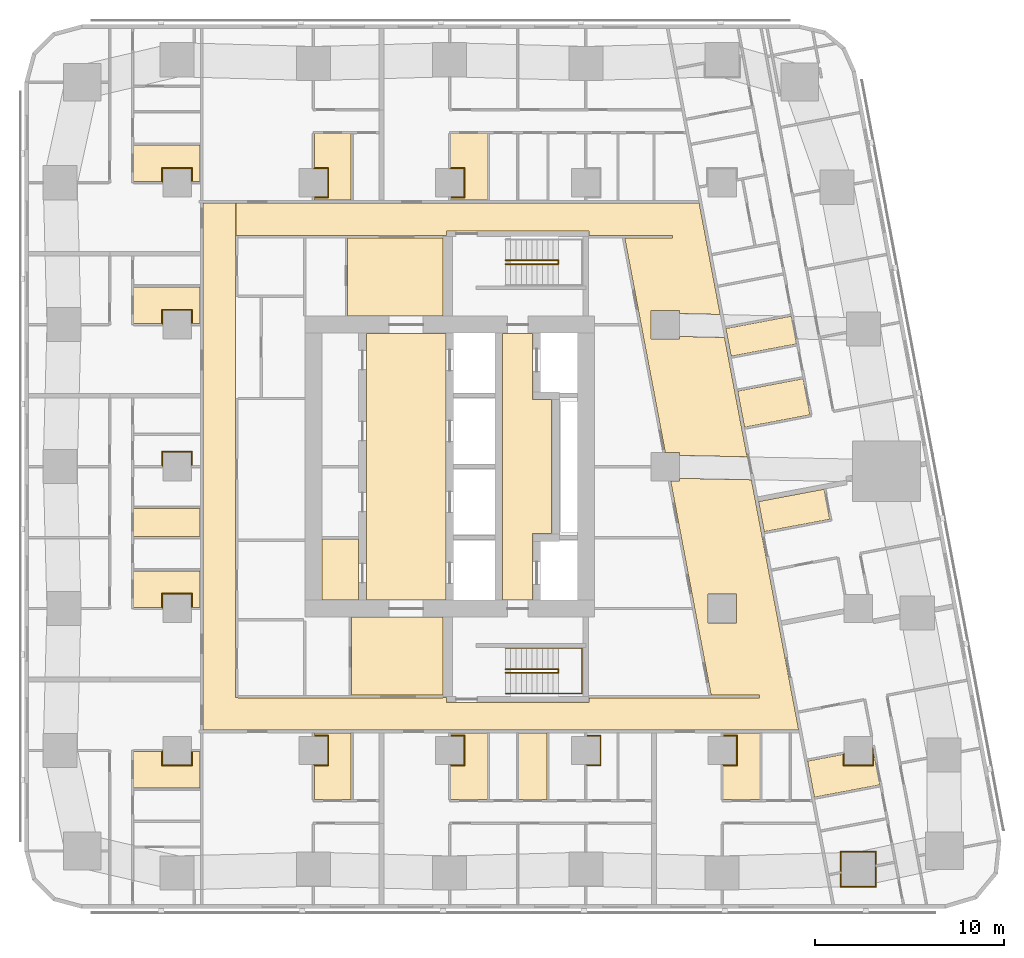
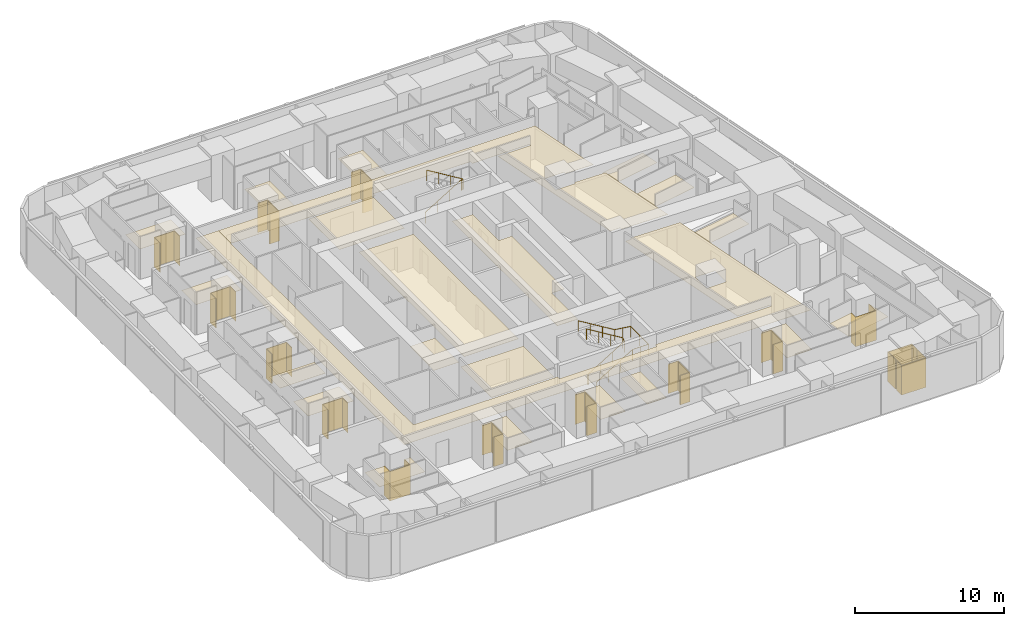
# One storey, part 14 of 15: 36 coverings, 3 railings.
"""IFC4 building model written with IfcOpenShell, lengths in metres."""

from ifc_helpers import new_model, si_unit, direction, frame, origin, origin_2d, place, context, subcontext, project, spatial, polyline, circle, outline, extrude, material, layer, layer_set, type_object, element, save


model = new_model("IFC4")

# Units and contexts
model_context = context("Model", 3, precision=1e-05, world=origin(), true_north=direction((0.0, 1.0)))
body_context = subcontext(model_context, "Body", "Model", "MODEL_VIEW")
ifc_project = project(units=[si_unit("LENGTHUNIT", "METRE"), si_unit("AREAUNIT", "SQUARE_METRE"), si_unit("VOLUMEUNIT", "CUBIC_METRE"), si_unit("PLANEANGLEUNIT", "RADIAN"), si_unit("MASSUNIT", "GRAM", prefix="KILO")], contexts=[model_context])

# Site, building, storey
site_placement = place(None, origin())
site = spatial("IfcSite", under=ifc_project, at=site_placement, CompositionType="ELEMENT")
building_placement = place(site_placement, origin())
building = spatial("IfcBuilding", under=site, at=building_placement, Name="Sheger Commons Tower", CompositionType="ELEMENT")
storey_placement = place(building_placement, frame((0.0, 0.0, 139.550048828125)))
storey = spatial("IfcBuildingStorey", under=building, at=storey_placement, Name="L35", CompositionType="ELEMENT", Elevation=139.550048828125)

# Railings
ifc_material_1 = material(Name="Steel handrail, black powder-coated", Category="steel")
railing_type = type_object("IfcRailingType", Name="HANDRAIL 900", PredefinedType="HANDRAIL", material=ifc_material_1)
railing_1_placement = place(storey_placement, frame((24.550048828125, 11.60009765625, 0.17041015625)))
element("IfcRailing", 1, at=railing_1_placement, inside=storey, type_object=railing_type, Name="Stair S1 handrail L35", PredefinedType="HANDRAIL", context=body_context, shape_type="SweptSolid", body=[
    extrude(circle(Radius=0.02392578125, at=origin_2d()), frame((0.0, 0.0, 0.8759765625), z_axis=(0.854169791009, 0.0, 0.51999420009), x_axis=(0.0, 1.0, 0.0)), (0.0, 0.0, 1.0), 3.278076171875),
    extrude(circle(Radius=0.02392578125, at=origin_2d()), frame((2.800048828125, 0.0, 2.58056640625), z_axis=(0.0, 0.761090297175, 0.648645943136), x_axis=(-1.0, 0.0, 0.0)), (0.0, 0.0, 1.0), 0.2626953125),
    extrude(circle(Radius=0.02392578125, at=origin_2d()), frame((2.800048828125, 0.199951171875, 2.7509765625), z_axis=(-0.854169791009, 0.0, 0.51999420009), x_axis=(0.0, -1.0, 0.0)), (0.0, 0.0, 1.0), 3.278076171875),
    extrude(circle(Radius=0.02099609375, at=origin_2d()), origin(), (0.0, 0.0, 1.0), 0.851806640625),
    extrude(circle(Radius=0.02099609375, at=origin_2d()), frame((0.933349609375, 0.0, 0.568115234375)), (0.0, 0.0, 1.0), 0.851806640625),
    extrude(circle(Radius=0.02099609375, at=origin_2d()), frame((1.86669921875, 0.0, 1.136474609375)), (0.0, 0.0, 1.0), 0.851806640625),
    extrude(circle(Radius=0.02099609375, at=origin_2d()), frame((2.800048828125, 0.0, 1.70458984375)), (0.0, 0.0, 1.0), 0.851806640625),
    extrude(circle(Radius=0.02099609375, at=origin_2d()), frame((2.800048828125, 0.199951171875, 1.875)), (0.0, 0.0, 1.0), 0.851806640625),
    extrude(circle(Radius=0.02099609375, at=origin_2d()), frame((1.86669921875, 0.199951171875, 2.443115234375)), (0.0, 0.0, 1.0), 0.851806640625),
    extrude(circle(Radius=0.02099609375, at=origin_2d()), frame((0.933349609375, 0.199951171875, 3.011474609375)), (0.0, 0.0, 1.0), 0.851806640625),
    extrude(circle(Radius=0.02099609375, at=origin_2d()), frame((0.0, 0.199951171875, 3.57958984375)), (0.0, 0.0, 1.0), 0.851806640625),
])
railing_2_placement = place(storey_placement, frame((24.550048828125, 10.5, 0.17041015625)))
element("IfcRailing", 2, at=railing_2_placement, inside=storey, type_object=railing_type, Name="Stair S1 handrail L35", PredefinedType="HANDRAIL", context=body_context, shape_type="SweptSolid", body=[
    extrude(circle(Radius=0.02392578125, at=origin_2d()), frame((0.0, 0.0, 0.8759765625), z_axis=(0.854169791009, 0.0, 0.51999420009), x_axis=(0.0, 1.0, 0.0)), (0.0, 0.0, 1.0), 3.278076171875),
    extrude(circle(Radius=0.02392578125, at=origin_2d()), frame((2.800048828125, 0.0, 2.58056640625), z_axis=(1.0, 0.0, 0.0), x_axis=(0.0, 1.0, 0.0)), (0.0, 0.0, 1.0), 1.25),
    extrude(circle(Radius=0.02392578125, at=origin_2d()), frame((4.050048828125, 0.0, 2.58056640625), z_axis=(0.0, 1.0, 0.0), x_axis=(-1.0, 0.0, 0.0)), (0.0, 0.0, 1.0), 2.39990234375),
    extrude(circle(Radius=0.02392578125, at=origin_2d()), frame((4.050048828125, 2.39990234375, 2.58056640625), z_axis=(-0.990834877927, 0.0, 0.135078661092), x_axis=(0.0, -1.0, 0.0)), (0.0, 0.0, 1.0), 1.261474609375),
    extrude(circle(Radius=0.02392578125, at=origin_2d()), frame((2.800048828125, 2.39990234375, 2.7509765625), z_axis=(-0.854169791009, 0.0, 0.51999420009), x_axis=(0.0, -1.0, 0.0)), (0.0, 0.0, 1.0), 3.278076171875),
    extrude(circle(Radius=0.02099609375, at=origin_2d()), origin(), (0.0, 0.0, 1.0), 0.851806640625),
    extrude(circle(Radius=0.02099609375, at=origin_2d()), frame((0.933349609375, 0.0, 0.568115234375)), (0.0, 0.0, 1.0), 0.851806640625),
    extrude(circle(Radius=0.02099609375, at=origin_2d()), frame((1.86669921875, 0.0, 1.136474609375)), (0.0, 0.0, 1.0), 0.851806640625),
    extrude(circle(Radius=0.02099609375, at=origin_2d()), frame((2.800048828125, 0.0, 1.70458984375)), (0.0, 0.0, 1.0), 0.851806640625),
    extrude(circle(Radius=0.02099609375, at=origin_2d()), frame((3.425048828125, 0.0, 1.70458984375)), (0.0, 0.0, 1.0), 0.851806640625),
    extrude(circle(Radius=0.02099609375, at=origin_2d()), frame((4.050048828125, 0.0, 1.70458984375)), (0.0, 0.0, 1.0), 0.851806640625),
    extrude(circle(Radius=0.02099609375, at=origin_2d()), frame((4.050048828125, 1.199951171875, 1.70458984375)), (0.0, 0.0, 1.0), 0.851806640625),
    extrude(circle(Radius=0.02099609375, at=origin_2d()), frame((4.050048828125, 2.39990234375, 1.70458984375)), (0.0, 0.0, 1.0), 0.851806640625),
    extrude(circle(Radius=0.02099609375, at=origin_2d()), frame((3.425048828125, 2.39990234375, 1.789794921875)), (0.0, 0.0, 1.0), 0.851806640625),
    extrude(circle(Radius=0.02099609375, at=origin_2d()), frame((2.800048828125, 2.39990234375, 1.875)), (0.0, 0.0, 1.0), 0.851806640625),
    extrude(circle(Radius=0.02099609375, at=origin_2d()), frame((1.86669921875, 2.39990234375, 2.443115234375)), (0.0, 0.0, 1.0), 0.851806640625),
    extrude(circle(Radius=0.02099609375, at=origin_2d()), frame((0.933349609375, 2.39990234375, 3.011474609375)), (0.0, 0.0, 1.0), 0.851806640625),
    extrude(circle(Radius=0.02099609375, at=origin_2d()), frame((0.0, 2.39990234375, 3.57958984375)), (0.0, 0.0, 1.0), 0.851806640625),
])
railing_3_placement = place(storey_placement, frame((24.550048828125, 33.39990234375, 0.17041015625)))
element("IfcRailing", 3, at=railing_3_placement, inside=storey, type_object=railing_type, Name="Stair S2 handrail L35", PredefinedType="HANDRAIL", context=body_context, shape_type="SweptSolid", body=[
    extrude(circle(Radius=0.02392578125, at=origin_2d()), frame((0.0, 0.0, 0.8759765625), z_axis=(0.854169791009, 0.0, 0.51999420009), x_axis=(0.0, 1.0, 0.0)), (0.0, 0.0, 1.0), 3.278076171875),
    extrude(circle(Radius=0.02392578125, at=origin_2d()), frame((2.800048828125, 0.0, 2.58056640625), z_axis=(0.0, -0.761090297175, 0.648645943136), x_axis=(1.0, 0.0, 0.0)), (0.0, 0.0, 1.0), 0.2626953125),
    extrude(circle(Radius=0.02392578125, at=origin_2d()), frame((2.800048828125, -0.199951171875, 2.7509765625), z_axis=(-0.854169791009, 0.0, 0.51999420009), x_axis=(0.0, -1.0, 0.0)), (0.0, 0.0, 1.0), 3.278076171875),
    extrude(circle(Radius=0.02099609375, at=origin_2d()), origin(), (0.0, 0.0, 1.0), 0.851806640625),
    extrude(circle(Radius=0.02099609375, at=origin_2d()), frame((0.933349609375, 0.0, 0.568115234375)), (0.0, 0.0, 1.0), 0.851806640625),
    extrude(circle(Radius=0.02099609375, at=origin_2d()), frame((1.86669921875, 0.0, 1.136474609375)), (0.0, 0.0, 1.0), 0.851806640625),
    extrude(circle(Radius=0.02099609375, at=origin_2d()), frame((2.800048828125, 0.0, 1.70458984375)), (0.0, 0.0, 1.0), 0.851806640625),
    extrude(circle(Radius=0.02099609375, at=origin_2d()), frame((2.800048828125, -0.199951171875, 1.875)), (0.0, 0.0, 1.0), 0.851806640625),
    extrude(circle(Radius=0.02099609375, at=origin_2d()), frame((1.86669921875, -0.199951171875, 2.443115234375)), (0.0, 0.0, 1.0), 0.851806640625),
    extrude(circle(Radius=0.02099609375, at=origin_2d()), frame((0.933349609375, -0.199951171875, 3.011474609375)), (0.0, 0.0, 1.0), 0.851806640625),
    extrude(circle(Radius=0.02099609375, at=origin_2d()), frame((0.0, -0.199951171875, 3.57958984375)), (0.0, 0.0, 1.0), 0.851806640625),
])

# Coverings
ifc_material_2 = material(Name="Moisture-resistant gypsum plasterboard 15 mm on a suspended galvanised steel grid", Category="steel")
ifc_layer_1 = layer(ifc_material_2, 0.014892578125)
ifc_layer_set_1 = layer_set([ifc_layer_1], Name="MOISTURE-RESISTANT CEILING 15")
covering_type_1 = type_object("IfcCoveringType", Name="MOISTURE-RESISTANT CEILING 15", PredefinedType="CEILING", material=ifc_layer_set_1)
covering_1_placement = place(storey_placement, frame((0.0, 0.0, 2.39990234375)))
element("IfcCovering", 4, at=covering_1_placement, inside=storey, type_object=covering_type_1, Name="L35-01.B1 ceiling", PredefinedType="CEILING", context=body_context, shape_type="SweptSolid", body=[
    extrude(outline(polyline([(4.905029296875, 5.5048828125), (8.419921875, 5.5048828125), (8.419921875, 7.445068359375), (7.955078125, 7.445068359375), (7.955078125, 6.7451171875), (6.445068359375, 6.7451171875), (6.445068359375, 7.445068359375), (4.905029296875, 7.445068359375), (4.905029296875, 5.5048828125)])), origin(), (0.0, 0.0, 1.0), 0.01513671875),
])
covering_2_placement = place(storey_placement, frame((0.0, 0.0, 2.39990234375)))
element("IfcCovering", 5, at=covering_2_placement, inside=storey, type_object=covering_type_1, Name="L35-02.B1 ceiling", PredefinedType="CEILING", context=body_context, shape_type="SweptSolid", body=[
    extrude(outline(polyline([(4.905029296875, 15.054931640625), (6.445068359375, 15.054931640625), (6.445068359375, 15.7548828125), (7.955078125, 15.7548828125), (7.955078125, 15.054931640625), (8.419921875, 15.054931640625), (8.419921875, 16.9951171875), (4.905029296875, 16.9951171875), (4.905029296875, 15.054931640625)])), origin(), (0.0, 0.0, 1.0), 0.01513671875),
])
covering_3_placement = place(storey_placement, frame((0.0, 0.0, 2.39990234375)))
element("IfcCovering", 6, at=covering_3_placement, inside=storey, type_object=covering_type_1, Name="L35-02.B2 ceiling", PredefinedType="CEILING", context=body_context, shape_type="SweptSolid", body=[
    extrude(outline(polyline([(4.905029296875, 18.804931640625), (8.419921875, 18.804931640625), (8.419921875, 20.294921875), (4.905029296875, 20.294921875), (4.905029296875, 18.804931640625)])), origin(), (0.0, 0.0, 1.0), 0.01513671875),
])
covering_4_placement = place(storey_placement, frame((0.0, 0.0, 2.39990234375)))
element("IfcCovering", 7, at=covering_4_placement, inside=storey, type_object=covering_type_1, Name="L35-03.B1 ceiling", PredefinedType="CEILING", context=body_context, shape_type="SweptSolid", body=[
    extrude(outline(polyline([(4.905029296875, 30.054931640625), (6.445068359375, 30.054931640625), (6.445068359375, 30.7548828125), (7.955078125, 30.7548828125), (7.955078125, 30.054931640625), (8.419921875, 30.054931640625), (8.419921875, 31.9951171875), (4.905029296875, 31.9951171875), (4.905029296875, 30.054931640625)])), origin(), (0.0, 0.0, 1.0), 0.01513671875),
])
covering_5_placement = place(storey_placement, frame((0.0, 0.0, 2.39990234375)))
element("IfcCovering", 8, at=covering_5_placement, inside=storey, type_object=covering_type_1, Name="L35-04.B1 ceiling", PredefinedType="CEILING", context=body_context, shape_type="SweptSolid", body=[
    extrude(outline(polyline([(4.905029296875, 37.554931640625), (6.445068359375, 37.554931640625), (6.445068359375, 38.2548828125), (7.955078125, 38.2548828125), (7.955078125, 37.554931640625), (8.419921875, 37.554931640625), (8.419921875, 39.4951171875), (4.905029296875, 39.4951171875), (4.905029296875, 37.554931640625)])), origin(), (0.0, 0.0, 1.0), 0.01513671875),
])
covering_6_placement = place(storey_placement, frame((0.0, 0.0, 2.39990234375)))
element("IfcCovering", 9, at=covering_6_placement, inside=storey, type_object=covering_type_1, Name="L35-05.B1 ceiling", PredefinedType="CEILING", context=body_context, shape_type="SweptSolid", body=[
    extrude(outline(polyline([(14.455078125, 4.905029296875), (16.39501953125, 4.905029296875), (16.39501953125, 8.419921875), (14.455078125, 8.419921875), (14.455078125, 8.2548828125), (15.155029296875, 8.2548828125), (15.155029296875, 6.7451171875), (14.455078125, 6.7451171875), (14.455078125, 4.905029296875)])), origin(), (0.0, 0.0, 1.0), 0.01513671875),
])
covering_7_placement = place(storey_placement, frame((0.0, 0.0, 2.39990234375)))
element("IfcCovering", 10, at=covering_7_placement, inside=storey, type_object=covering_type_1, Name="L35-06.B1 ceiling", PredefinedType="CEILING", context=body_context, shape_type="SweptSolid", body=[
    extrude(outline(polyline([(21.655029296875, 4.905029296875), (23.594970703125, 4.905029296875), (23.594970703125, 8.419921875), (21.655029296875, 8.419921875), (21.655029296875, 8.2548828125), (22.35498046875, 8.2548828125), (22.35498046875, 6.7451171875), (21.655029296875, 6.7451171875), (21.655029296875, 4.905029296875)])), origin(), (0.0, 0.0, 1.0), 0.01513671875),
])
covering_8_placement = place(storey_placement, frame((0.0, 0.0, 2.39990234375)))
element("IfcCovering", 11, at=covering_8_placement, inside=storey, type_object=covering_type_1, Name="L35-06.B2 ceiling", PredefinedType="CEILING", context=body_context, shape_type="SweptSolid", body=[
    extrude(outline(polyline([(25.2548828125, 4.905029296875), (26.7451171875, 4.905029296875), (26.7451171875, 8.419921875), (25.2548828125, 8.419921875), (25.2548828125, 4.905029296875)])), origin(), (0.0, 0.0, 1.0), 0.01513671875),
])
covering_9_placement = place(storey_placement, frame((0.0, 0.0, 2.39990234375)))
element("IfcCovering", 12, at=covering_9_placement, inside=storey, type_object=covering_type_1, Name="L35-07.B1 ceiling", PredefinedType="CEILING", context=body_context, shape_type="SweptSolid", body=[
    extrude(outline(polyline([(36.054931640625, 4.905029296875), (37.9951171875, 4.905029296875), (37.9951171875, 8.419921875), (36.054931640625, 8.419921875), (36.054931640625, 8.2548828125), (36.7548828125, 8.2548828125), (36.7548828125, 6.7451171875), (36.054931640625, 6.7451171875), (36.054931640625, 4.905029296875)])), origin(), (0.0, 0.0, 1.0), 0.01513671875),
])
covering_10_placement = place(storey_placement, frame((0.0, 0.0, 2.39990234375)))
element("IfcCovering", 13, at=covering_10_placement, inside=storey, type_object=covering_type_1, Name="L35-08.B1 ceiling", PredefinedType="CEILING", context=body_context, shape_type="SweptSolid", body=[
    extrude(outline(polyline([(37.18701171875, 24.5830078125), (40.64111328125, 25.236083984375), (40.281005859375, 27.14208984375), (36.826904296875, 26.489990234375), (37.18701171875, 24.5830078125)])), origin(), (0.0, 0.0, 1.0), 0.01513671875),
])
covering_11_placement = place(storey_placement, frame((0.0, 0.0, 2.39990234375)))
element("IfcCovering", 14, at=covering_11_placement, inside=storey, type_object=covering_type_1, Name="L35-08.B2 ceiling", PredefinedType="CEILING", context=body_context, shape_type="SweptSolid", body=[
    extrude(outline(polyline([(36.47900390625, 28.3330078125), (39.93310546875, 28.985107421875), (39.656982421875, 30.448974609375), (36.201904296875, 29.797119140625), (36.47900390625, 28.3330078125)])), origin(), (0.0, 0.0, 1.0), 0.01513671875),
])
covering_12_placement = place(storey_placement, frame((0.0, 0.0, 2.39990234375)))
element("IfcCovering", 15, at=covering_12_placement, inside=storey, type_object=covering_type_1, Name="L35-09.B1 ceiling", PredefinedType="CEILING", context=body_context, shape_type="SweptSolid", body=[
    extrude(outline(polyline([(38.22900390625, 19.06494140625), (41.68408203125, 19.716064453125), (41.384033203125, 21.303955078125), (37.929931640625, 20.652099609375), (38.22900390625, 19.06494140625)])), origin(), (0.0, 0.0, 1.0), 0.01513671875),
])
covering_13_placement = place(storey_placement, frame((0.0, 0.0, 2.39990234375)))
element("IfcCovering", 16, at=covering_13_placement, inside=storey, type_object=covering_type_1, Name="L35-10.B1 ceiling", PredefinedType="CEILING", context=body_context, shape_type="SweptSolid", body=[
    extrude(outline(polyline([(40.8798828125, 5.031982421875), (44.333984375, 5.68408203125), (43.964111328125, 7.64501953125), (43.955078125, 7.64306640625), (43.955078125, 6.7451171875), (42.445068359375, 6.7451171875), (42.445068359375, 7.302001953125), (40.52001953125, 6.93798828125), (40.8798828125, 5.031982421875)])), origin(), (0.0, 0.0, 1.0), 0.01513671875),
])
covering_14_placement = place(storey_placement, frame((0.0, 0.0, 2.39990234375)))
element("IfcCovering", 17, at=covering_14_placement, inside=storey, type_object=covering_type_1, Name="L35-11.B1 ceiling", PredefinedType="CEILING", context=body_context, shape_type="SweptSolid", body=[
    extrude(outline(polyline([(14.455078125, 36.580078125), (16.39501953125, 36.580078125), (16.39501953125, 40.094970703125), (14.455078125, 40.094970703125), (14.455078125, 38.2548828125), (15.155029296875, 38.2548828125), (15.155029296875, 36.7451171875), (14.455078125, 36.7451171875), (14.455078125, 36.580078125)])), origin(), (0.0, 0.0, 1.0), 0.01513671875),
])
covering_15_placement = place(storey_placement, frame((0.0, 0.0, 2.39990234375)))
element("IfcCovering", 18, at=covering_15_placement, inside=storey, type_object=covering_type_1, Name="L35-12.B1 ceiling", PredefinedType="CEILING", context=body_context, shape_type="SweptSolid", body=[
    extrude(outline(polyline([(21.655029296875, 36.580078125), (23.594970703125, 36.580078125), (23.594970703125, 40.094970703125), (21.655029296875, 40.094970703125), (21.655029296875, 38.2548828125), (22.35498046875, 38.2548828125), (22.35498046875, 36.7451171875), (21.655029296875, 36.7451171875), (21.655029296875, 36.580078125)])), origin(), (0.0, 0.0, 1.0), 0.01513671875),
])
covering_16_placement = place(storey_placement, frame((0.0, 0.0, 2.39990234375)))
element("IfcCovering", 19, at=covering_16_placement, inside=storey, type_object=covering_type_1, Name="L35-CRB1 ceiling", PredefinedType="CEILING", context=body_context, shape_type="SweptSolid", body=[
    extrude(outline(polyline([(14.85498046875, 15.455078125), (16.794921875, 15.455078125), (16.794921875, 18.68310546875), (14.85498046875, 18.68310546875), (14.85498046875, 15.455078125)])), origin(), (0.0, 0.0, 1.0), 0.01513671875),
])
ifc_material_3 = material(Name="Gypsum plasterboard 15 mm on a suspended steel grid", Category="steel")
ifc_layer_2 = layer(ifc_material_3, 0.014892578125)
ifc_layer_set_2 = layer_set([ifc_layer_2], Name="SUSPENDED CEILING 15")
covering_type_2 = type_object("IfcCoveringType", Name="SUSPENDED CEILING 15", PredefinedType="CEILING", material=ifc_layer_set_2)
covering_17_placement = place(storey_placement, frame((0.0, 0.0, 2.699951171875)))
element("IfcCovering", 20, at=covering_17_placement, inside=storey, type_object=covering_type_2, Name="L35-CO ceiling", PredefinedType="CEILING", context=body_context, shape_type="SweptSolid", body=[
    extrude(outline(polyline([(8.580078125, 8.580078125), (40.047119140625, 8.580078125), (37.549072265625, 21.802978515625), (33.7548828125, 21.8798828125), (33.7548828125, 21.7451171875), (33.283935546875, 21.7451171875), (35.4208984375, 10.431884765625), (35.384033203125, 10.425048828125), (35.385986328125, 10.41796875), (37.968017578125, 10.41796875), (37.968017578125, 10.281982421875), (28.955078125, 10.281982421875), (28.955078125, 10.044921875), (21.445068359375, 10.044921875), (21.445068359375, 10.300048828125), (21.2548828125, 10.300048828125), (21.2548828125, 10.281982421875), (10.407958984375, 10.281982421875), (10.407958984375, 10.294921875), (10.281982421875, 10.294921875), (10.281982421875, 26.10498046875), (10.300048828125, 26.10498046875), (10.300048828125, 31.4951171875), (10.281982421875, 31.4951171875), (10.281982421875, 34.705078125), (10.298095703125, 34.705078125), (10.298095703125, 36.419921875), (8.580078125, 36.419921875), (8.580078125, 8.580078125)]), holes=[polyline([(35.2451171875, 15.7548828125), (36.7548828125, 15.7548828125), (36.7548828125, 14.2451171875), (35.2451171875, 14.2451171875), (35.2451171875, 15.7548828125)])]), origin(), (0.0, 0.0, 1.0), 0.014892578125),
])
covering_18_placement = place(storey_placement, frame((0.0, 0.0, 2.699951171875)))
element("IfcCovering", 21, at=covering_18_placement, inside=storey, type_object=covering_type_2, Name="L35-CO ceiling", PredefinedType="CEILING", context=body_context, shape_type="SweptSolid", body=[
    extrude(outline(polyline([(37.320068359375, 23.01806640625), (36.12890625, 29.323974609375), (33.7548828125, 29.3779296875), (33.7548828125, 29.2451171875), (32.2451171875, 29.2451171875), (32.2451171875, 30.7548828125), (33.7548828125, 30.7548828125), (33.7548828125, 30.587890625), (35.89892578125, 30.5400390625), (34.77294921875, 36.5), (34.77001953125, 36.5), (34.77001953125, 36.419921875), (33.365966796875, 36.419921875), (33.361083984375, 34.719970703125), (33.361083984375, 36.419921875), (10.302978515625, 36.419921875), (10.302978515625, 34.705078125), (10.407958984375, 34.705078125), (10.407958984375, 34.718017578125), (21.2548828125, 34.718017578125), (21.2548828125, 34.699951171875), (21.445068359375, 34.699951171875), (21.445068359375, 34.955078125), (28.955078125, 34.955078125), (28.955078125, 34.718017578125), (33.361083984375, 34.718017578125), (33.3779296875, 34.718017578125), (33.3779296875, 34.58203125), (30.85888671875, 34.58203125), (32.99609375, 23.27099609375), (32.958984375, 23.263916015625), (32.9609375, 23.2548828125), (33.7548828125, 23.2548828125), (33.7548828125, 23.090087890625), (37.320068359375, 23.01806640625)])), origin(), (0.0, 0.0, 1.0), 0.014892578125),
])
covering_19_placement = place(storey_placement, frame((0.0, 0.0, 2.699951171875)))
element("IfcCovering", 22, at=covering_19_placement, inside=storey, type_object=covering_type_2, Name="L35-SVS1 ceiling", PredefinedType="CEILING", context=body_context, shape_type="SweptSolid", body=[
    extrude(outline(polyline([(16.406982421875, 10.41796875), (21.2451171875, 10.41796875), (21.2451171875, 14.544921875), (16.406982421875, 14.544921875), (16.406982421875, 10.41796875)])), origin(), (0.0, 0.0, 1.0), 0.014892578125),
])
covering_20_placement = place(storey_placement, frame((0.0, 0.0, 2.699951171875)))
element("IfcCovering", 23, at=covering_20_placement, inside=storey, type_object=covering_type_2, Name="L35-SVN1 ceiling", PredefinedType="CEILING", context=body_context, shape_type="SweptSolid", body=[
    extrude(outline(polyline([(16.217041015625, 30.455078125), (21.2451171875, 30.455078125), (21.2451171875, 34.58203125), (16.217041015625, 34.58203125), (16.217041015625, 30.455078125)])), origin(), (0.0, 0.0, 1.0), 0.014892578125),
])
covering_21_placement = place(storey_placement, frame((0.0, 0.0, 2.699951171875)))
element("IfcCovering", 24, at=covering_21_placement, inside=storey, type_object=covering_type_2, Name="L35-LL ceiling", PredefinedType="CEILING", context=body_context, shape_type="SweptSolid", body=[
    extrude(outline(polyline([(17.205078125, 15.455078125), (21.39990234375, 15.455078125), (21.39990234375, 29.544921875), (17.205078125, 29.544921875), (17.205078125, 15.455078125)])), origin(), (0.0, 0.0, 1.0), 0.014892578125),
])
covering_22_placement = place(storey_placement, frame((0.0, 0.0, 2.699951171875)))
element("IfcCovering", 25, at=covering_22_placement, inside=storey, type_object=covering_type_2, Name="L35-FL ceiling", PredefinedType="CEILING", context=body_context, shape_type="SweptSolid", body=[
    extrude(outline(polyline([(24.405029296875, 15.455078125), (25.9951171875, 15.455078125), (25.9951171875, 18.955078125), (26.9951171875, 18.955078125), (26.9951171875, 26.044921875), (25.9951171875, 26.044921875), (25.9951171875, 29.544921875), (24.405029296875, 29.544921875), (24.405029296875, 15.455078125)])), origin(), (0.0, 0.0, 1.0), 0.014892578125),
])
ifc_material_4 = material(Name="Moisture-resistant gypsum board 12.5 mm on 25 mm treated timber battens, tanked and tiled", Category="wood")
ifc_layer_3 = layer(ifc_material_4, 0.050048828125)
ifc_layer_set_3 = layer_set([ifc_layer_3], Name="WET-ROOM COLUMN LINING")
covering_type_3 = type_object("IfcCoveringType", Name="WET-ROOM COLUMN LINING", PredefinedType="CLADDING", material=ifc_layer_set_3)
covering_23_placement = place(storey_placement, origin())
element("IfcCovering", 26, at=covering_23_placement, inside=storey, type_object=covering_type_3, Name="Laundry room column lining C8 L35", PredefinedType="CLADDING", context=body_context, shape_type="SweptSolid", body=[
    extrude(outline(polyline([(44.14990234375, 2.175048828125), (44.14990234375, 1.455078125), (44.10107421875, 1.446044921875), (44.110107421875, 1.39697265625), (44.10009765625, 1.39501953125), (44.10009765625, 2.125), (42.300048828125, 2.125), (42.300048828125, 1.055908203125), (42.2900390625, 1.053955078125), (42.281005859375, 1.10205078125), (42.25, 1.095947265625), (42.25, 2.175048828125), (44.14990234375, 2.175048828125)])), origin(), (0.0, 0.0, 1.0), 2.39990234375),
])
covering_24_placement = place(storey_placement, origin())
element("IfcCovering", 27, at=covering_24_placement, inside=storey, type_object=covering_type_3, Name="Laundry room column lining C8 L35", PredefinedType="CLADDING", context=body_context, shape_type="SweptSolid", body=[
    extrude(outline(polyline([(42.300048828125, 1.055908203125), (42.300048828125, 0.324951171875), (44.10009765625, 0.324951171875), (44.10009765625, 1.39501953125), (44.110107421875, 1.39697265625), (44.118896484375, 1.347900390625), (44.14990234375, 1.35400390625), (44.14990234375, 0.27490234375), (42.25, 0.27490234375), (42.25, 0.9951171875), (42.299072265625, 1.00390625), (42.2900390625, 1.053955078125), (42.300048828125, 1.055908203125)])), origin(), (0.0, 0.0, 1.0), 2.39990234375),
])
covering_25_placement = place(storey_placement, origin())
element("IfcCovering", 28, at=covering_25_placement, inside=storey, type_object=covering_type_3, Name="Bathroom column lining C10 L35", PredefinedType="CLADDING", context=body_context, shape_type="SweptSolid", body=[
    extrude(outline(polyline([(6.449951171875, 7.5), (6.449951171875, 6.75), (7.949951171875, 6.75), (7.949951171875, 7.5), (7.950927734375, 7.5), (7.950927734375, 7.449951171875), (8.0, 7.449951171875), (8.0, 6.699951171875), (6.39990234375, 6.699951171875), (6.39990234375, 7.449951171875), (6.448974609375, 7.449951171875), (6.448974609375, 7.5), (6.449951171875, 7.5)])), origin(), (0.0, 0.0, 1.0), 2.39990234375),
])
covering_26_placement = place(storey_placement, origin())
element("IfcCovering", 29, at=covering_26_placement, inside=storey, type_object=covering_type_3, Name="Bathroom column lining C10 L35", PredefinedType="CLADDING", context=body_context, shape_type="SweptSolid", body=[
    extrude(outline(polyline([(15.199951171875, 6.699951171875), (14.449951171875, 6.699951171875), (14.449951171875, 6.7490234375), (14.39990234375, 6.7490234375), (14.39990234375, 6.75), (15.14990234375, 6.75), (15.14990234375, 8.25), (14.39990234375, 8.25), (14.39990234375, 8.2509765625), (14.449951171875, 8.2509765625), (14.449951171875, 8.300048828125), (15.199951171875, 8.300048828125), (15.199951171875, 6.699951171875)])), origin(), (0.0, 0.0, 1.0), 2.39990234375),
])
covering_27_placement = place(storey_placement, origin())
element("IfcCovering", 30, at=covering_27_placement, inside=storey, type_object=covering_type_3, Name="Bathroom column lining C10 L35", PredefinedType="CLADDING", context=body_context, shape_type="SweptSolid", body=[
    extrude(outline(polyline([(22.39990234375, 6.699951171875), (21.64990234375, 6.699951171875), (21.64990234375, 6.7490234375), (21.60009765625, 6.7490234375), (21.60009765625, 6.75), (22.35009765625, 6.75), (22.35009765625, 8.25), (21.60009765625, 8.25), (21.60009765625, 8.2509765625), (21.64990234375, 8.2509765625), (21.64990234375, 8.300048828125), (22.39990234375, 8.300048828125), (22.39990234375, 6.699951171875)])), origin(), (0.0, 0.0, 1.0), 2.39990234375),
])
covering_28_placement = place(storey_placement, origin())
element("IfcCovering", 31, at=covering_28_placement, inside=storey, type_object=covering_type_3, Name="Laundry room column lining C10 L35", PredefinedType="CLADDING", context=body_context, shape_type="SweptSolid", body=[
    extrude(outline(polyline([(29.60009765625, 6.699951171875), (28.85009765625, 6.699951171875), (28.85009765625, 6.7490234375), (28.800048828125, 6.7490234375), (28.800048828125, 6.75), (29.550048828125, 6.75), (29.550048828125, 8.25), (28.800048828125, 8.25), (28.800048828125, 8.2509765625), (28.85009765625, 8.2509765625), (28.85009765625, 8.300048828125), (29.60009765625, 8.300048828125), (29.60009765625, 6.699951171875)])), origin(), (0.0, 0.0, 1.0), 2.39990234375),
])
covering_29_placement = place(storey_placement, origin())
element("IfcCovering", 32, at=covering_29_placement, inside=storey, type_object=covering_type_3, Name="Bathroom column lining C10 L35", PredefinedType="CLADDING", context=body_context, shape_type="SweptSolid", body=[
    extrude(outline(polyline([(36.800048828125, 6.699951171875), (36.050048828125, 6.699951171875), (36.050048828125, 6.7490234375), (36.0, 6.7490234375), (36.0, 6.75), (36.75, 6.75), (36.75, 8.25), (36.0, 8.25), (36.0, 8.2509765625), (36.050048828125, 8.2509765625), (36.050048828125, 8.300048828125), (36.800048828125, 8.300048828125), (36.800048828125, 6.699951171875)])), origin(), (0.0, 0.0, 1.0), 2.39990234375),
])
covering_30_placement = place(storey_placement, origin())
element("IfcCovering", 33, at=covering_30_placement, inside=storey, type_object=covering_type_3, Name="Bathroom column lining C10 L35", PredefinedType="CLADDING", context=body_context, shape_type="SweptSolid", body=[
    extrude(outline(polyline([(42.449951171875, 7.35888671875), (42.449951171875, 6.75), (43.949951171875, 6.75), (43.949951171875, 7.64208984375), (43.968994140625, 7.64599609375), (44.0, 7.47998046875), (44.0, 6.699951171875), (42.39990234375, 6.699951171875), (42.39990234375, 7.299072265625), (42.448974609375, 7.30810546875), (42.43994140625, 7.35693359375), (42.449951171875, 7.35888671875)])), origin(), (0.0, 0.0, 1.0), 2.39990234375),
])
covering_31_placement = place(storey_placement, origin())
element("IfcCovering", 34, at=covering_31_placement, inside=storey, type_object=covering_type_3, Name="Bathroom column lining C10 L35", PredefinedType="CLADDING", context=body_context, shape_type="SweptSolid", body=[
    extrude(outline(polyline([(8.0, 15.800048828125), (8.0, 15.050048828125), (7.950927734375, 15.050048828125), (7.950927734375, 15.0), (7.949951171875, 15.0), (7.949951171875, 15.75), (6.449951171875, 15.75), (6.449951171875, 15.0), (6.448974609375, 15.0), (6.448974609375, 15.050048828125), (6.39990234375, 15.050048828125), (6.39990234375, 15.800048828125), (8.0, 15.800048828125)])), origin(), (0.0, 0.0, 1.0), 2.39990234375),
])
covering_32_placement = place(storey_placement, origin())
element("IfcCovering", 35, at=covering_32_placement, inside=storey, type_object=covering_type_3, Name="Laundry room column lining C10 L35", PredefinedType="CLADDING", context=body_context, shape_type="SweptSolid", body=[
    extrude(outline(polyline([(8.0, 23.300048828125), (8.0, 22.550048828125), (7.950927734375, 22.550048828125), (7.950927734375, 22.5), (7.949951171875, 22.5), (7.949951171875, 23.25), (6.449951171875, 23.25), (6.449951171875, 22.5), (6.448974609375, 22.5), (6.448974609375, 22.550048828125), (6.39990234375, 22.550048828125), (6.39990234375, 23.300048828125), (8.0, 23.300048828125)])), origin(), (0.0, 0.0, 1.0), 2.39990234375),
])
covering_33_placement = place(storey_placement, origin())
element("IfcCovering", 36, at=covering_33_placement, inside=storey, type_object=covering_type_3, Name="Bathroom column lining C10 L35", PredefinedType="CLADDING", context=body_context, shape_type="SweptSolid", body=[
    extrude(outline(polyline([(8.0, 30.800048828125), (8.0, 30.050048828125), (7.950927734375, 30.050048828125), (7.950927734375, 30.0), (7.949951171875, 30.0), (7.949951171875, 30.75), (6.449951171875, 30.75), (6.449951171875, 30.0), (6.448974609375, 30.0), (6.448974609375, 30.050048828125), (6.39990234375, 30.050048828125), (6.39990234375, 30.800048828125), (8.0, 30.800048828125)])), origin(), (0.0, 0.0, 1.0), 2.39990234375),
])
covering_34_placement = place(storey_placement, origin())
element("IfcCovering", 37, at=covering_34_placement, inside=storey, type_object=covering_type_3, Name="Bathroom column lining C10 L35", PredefinedType="CLADDING", context=body_context, shape_type="SweptSolid", body=[
    extrude(outline(polyline([(8.0, 38.300048828125), (8.0, 37.550048828125), (7.950927734375, 37.550048828125), (7.950927734375, 37.5), (7.949951171875, 37.5), (7.949951171875, 38.25), (6.449951171875, 38.25), (6.449951171875, 37.5), (6.448974609375, 37.5), (6.448974609375, 37.550048828125), (6.39990234375, 37.550048828125), (6.39990234375, 38.300048828125), (8.0, 38.300048828125)])), origin(), (0.0, 0.0, 1.0), 2.39990234375),
])
covering_35_placement = place(storey_placement, origin())
element("IfcCovering", 38, at=covering_35_placement, inside=storey, type_object=covering_type_3, Name="Bathroom column lining C10 L35", PredefinedType="CLADDING", context=body_context, shape_type="SweptSolid", body=[
    extrude(outline(polyline([(15.199951171875, 36.699951171875), (14.449951171875, 36.699951171875), (14.449951171875, 36.7490234375), (14.39990234375, 36.7490234375), (14.39990234375, 36.75), (15.14990234375, 36.75), (15.14990234375, 38.25), (14.39990234375, 38.25), (14.39990234375, 38.2509765625), (14.449951171875, 38.2509765625), (14.449951171875, 38.300048828125), (15.199951171875, 38.300048828125), (15.199951171875, 36.699951171875)])), origin(), (0.0, 0.0, 1.0), 2.39990234375),
])
covering_36_placement = place(storey_placement, origin())
element("IfcCovering", 39, at=covering_36_placement, inside=storey, type_object=covering_type_3, Name="Bathroom column lining C10 L35", PredefinedType="CLADDING", context=body_context, shape_type="SweptSolid", body=[
    extrude(outline(polyline([(22.39990234375, 36.699951171875), (21.64990234375, 36.699951171875), (21.64990234375, 36.7490234375), (21.60009765625, 36.7490234375), (21.60009765625, 36.75), (22.35009765625, 36.75), (22.35009765625, 38.25), (21.60009765625, 38.25), (21.60009765625, 38.2509765625), (21.64990234375, 38.2509765625), (21.64990234375, 38.300048828125), (22.39990234375, 38.300048828125), (22.39990234375, 36.699951171875)])), origin(), (0.0, 0.0, 1.0), 2.39990234375),
])

save(model, "model.ifc")
